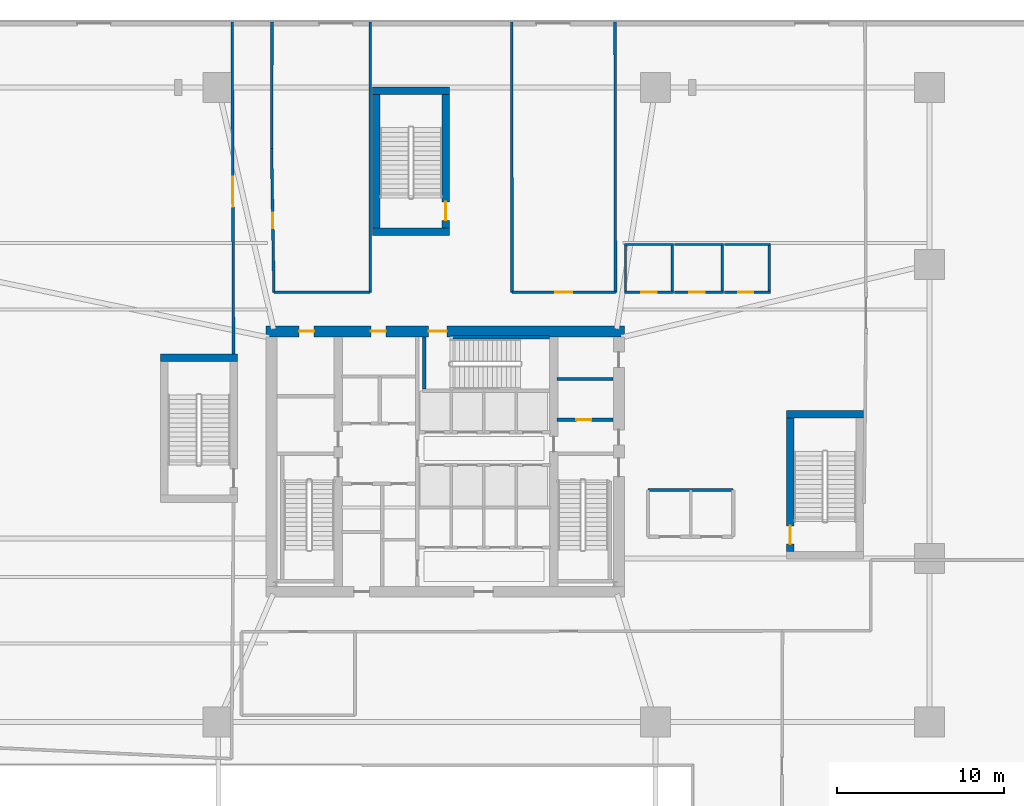
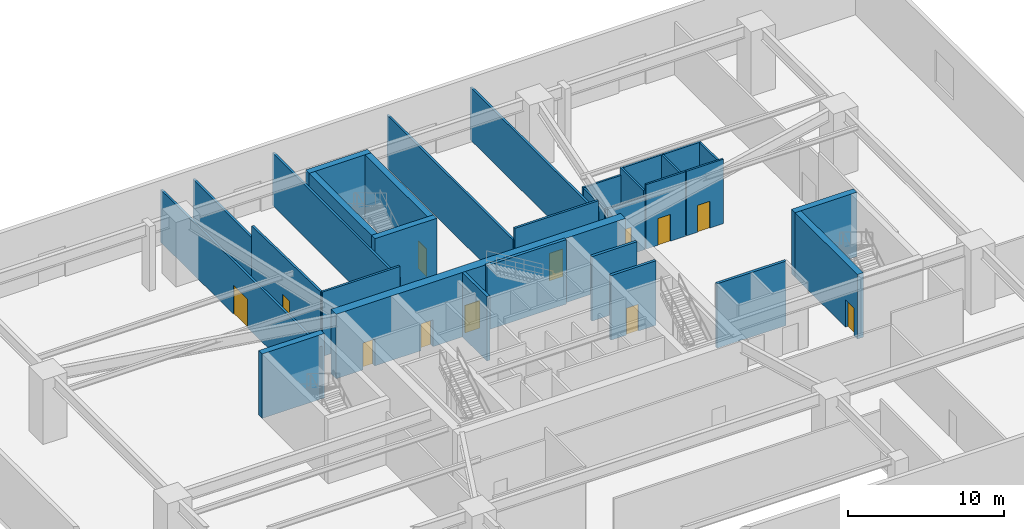
# One storey, part 7 of 13: 31 walls, 12 doors, 12 openings.
"""IFC4 building model written with IfcOpenShell, lengths in metres."""

from ifc_helpers import new_model, si_unit, direction, frame, frame_2d, origin, place, context, subcontext, project, spatial, rectangle, extrude, material, layer, layer_set, type_object, element, fill, save


model = new_model("IFC4")

# Units and contexts
model_context = context("Model", 3, precision=1e-05, world=origin(), true_north=direction((0.0, 1.0)))
body_context = subcontext(model_context, "Body", "Model", "MODEL_VIEW")
ifc_project = project(units=[si_unit("LENGTHUNIT", "METRE"), si_unit("AREAUNIT", "SQUARE_METRE"), si_unit("VOLUMEUNIT", "CUBIC_METRE"), si_unit("PLANEANGLEUNIT", "RADIAN"), si_unit("MASSUNIT", "GRAM", prefix="KILO")], contexts=[model_context])

# Site, building, storey
site_placement = place(None, origin())
site = spatial("IfcSite", under=ifc_project, at=site_placement, CompositionType="ELEMENT")
building_placement = place(site_placement, origin())
building = spatial("IfcBuilding", under=site, at=building_placement, Name="Qarnah Convention Tower", CompositionType="ELEMENT")
storey_placement = place(building_placement, origin())
storey = spatial("IfcBuildingStorey", under=building, at=storey_placement, Name="L00", CompositionType="ELEMENT", Elevation=0.0)

# Wall, openings, doors
ifc_material_1 = material(Name="Concrete C60/75", Category="concrete")
ifc_layer_1 = layer(ifc_material_1, 0.64990234375)
ifc_layer_set_1 = layer_set([ifc_layer_1], Name="Concrete C60/75")
wall_type_1 = type_object("IfcWallType", Name="WL-CORE-650", PredefinedType="SHEAR", material=ifc_layer_set_1)
wall_1_placement = place(storey_placement, frame((26.47509765625, 34.199951171875, 0.0), z_axis=(0.0, 0.0, 1.0), x_axis=(1.0, 0.0, 0.0)))
wall_1 = element("IfcWall", 1, at=wall_1_placement, inside=storey, type_object=wall_type_1, Name="L00 core north shear wall", PredefinedType="SHEAR", context=body_context, shape_type="SweptSolid", body=[
    extrude(rectangle(XDim=21.449951171875, YDim=0.64990234375, at=frame_2d((10.72509765625, 0.0))), origin(), (0.0, 0.0, 1.0), 5.050048828125),
])
opening_1_placement = place(wall_1_placement, frame((9.72509765625, 0.0, 0.0)))
opening_1 = element("IfcOpeningElement", 2, at=opening_1_placement, cuts=wall_1, Name="Opening D-0003", PredefinedType="OPENING", context=body_context, shape_type="SweptSolid", body=[
    extrude(rectangle(XDim=1.10009765625, YDim=2.14990234375, at=frame_2d((0.550048828125, 1.074951171875))), frame((0.0, 0.3349609375, 0.0), z_axis=(0.0, -1.0, 0.0), x_axis=(1.0, 0.0, 0.0)), (0.0, 0.0, 1.0), 0.669921875),
])
opening_2_placement = place(wall_1_placement, frame((1.97509765625, 0.0, 0.0)))
opening_2 = element("IfcOpeningElement", 3, at=opening_2_placement, cuts=wall_1, Name="Opening D-0009", PredefinedType="OPENING", context=body_context, shape_type="SweptSolid", body=[
    extrude(rectangle(XDim=0.89990234375, YDim=2.10009765625, at=frame_2d((0.449951171875, 1.050048828125))), frame((0.0, 0.3349609375, 0.0), z_axis=(0.0, -1.0, 0.0), x_axis=(1.0, 0.0, 0.0)), (0.0, 0.0, 1.0), 0.669921875),
])
opening_3_placement = place(wall_1_placement, frame((6.27490234375, 0.0, 0.0)))
opening_3 = element("IfcOpeningElement", 4, at=opening_3_placement, cuts=wall_1, Name="Opening D-0010", PredefinedType="OPENING", context=body_context, shape_type="SweptSolid", body=[
    extrude(rectangle(XDim=0.89990234375, YDim=2.10009765625, at=frame_2d((0.449951171875, 1.050048828125))), frame((0.0, 0.3349609375, 0.0), z_axis=(0.0, -1.0, 0.0), x_axis=(1.0, 0.0, 0.0)), (0.0, 0.0, 1.0), 0.669921875),
])
ifc_material_2 = material(Name="Structural steel S355JR", Category="steel")
door_type_1 = type_object("IfcDoorType", Name="DT-RISER-900", OperationType="NOTDEFINED", PredefinedType="DOOR", material=ifc_material_2)
door_1_placement = place(opening_2_placement, origin())
door_1 = element("IfcDoor", 5, at=door_1_placement, inside=storey, type_object=door_type_1, Name="Door D-0009", OperationType="SINGLE_SWING_RIGHT", OverallHeight=2.10009765625, OverallWidth=0.89990234375, PredefinedType="DOOR", context=body_context, shape_type="SweptSolid", body=[
    extrude(rectangle(XDim=0.89990234375, YDim=2.10009765625, at=frame_2d((0.449951171875, 1.050048828125))), frame((0.0, 0.02490234375, 0.0), z_axis=(0.0, -1.0, 0.0), x_axis=(1.0, 0.0, 0.0)), (0.0, 0.0, 1.0), 0.050048828125),
])
fill(opening_2, door_1)
door_2_placement = place(opening_3_placement, origin())
door_2 = element("IfcDoor", 6, at=door_2_placement, inside=storey, type_object=door_type_1, Name="Door D-0010", OperationType="SINGLE_SWING_LEFT", OverallHeight=2.10009765625, OverallWidth=0.89990234375, PredefinedType="DOOR", context=body_context, shape_type="SweptSolid", body=[
    extrude(rectangle(XDim=0.89990234375, YDim=2.10009765625, at=frame_2d((0.449951171875, 1.050048828125))), frame((0.0, 0.02490234375, 0.0), z_axis=(0.0, -1.0, 0.0), x_axis=(1.0, 0.0, 0.0)), (0.0, 0.0, 1.0), 0.050048828125),
])
fill(opening_3, door_2)
door_type_2 = type_object("IfcDoorType", Name="DT-STAIR-1100", OperationType="NOTDEFINED", PredefinedType="DOOR", material=ifc_material_2)
door_3_placement = place(opening_1_placement, origin())
door_3 = element("IfcDoor", 7, at=door_3_placement, inside=storey, type_object=door_type_2, Name="Door D-0003", OperationType="SINGLE_SWING_RIGHT", OverallHeight=2.14990234375, OverallWidth=1.10009765625, PredefinedType="DOOR", context=body_context, shape_type="SweptSolid", body=[
    extrude(rectangle(XDim=1.10009765625, YDim=2.14990234375, at=frame_2d((0.550048828125, 1.074951171875))), frame((0.0, 0.02490234375, 0.0), z_axis=(0.0, -1.0, 0.0), x_axis=(1.0, 0.0, 0.0)), (0.0, 0.0, 1.0), 0.050048828125),
])
fill(opening_1, door_3)

# Wall, opening, door
ifc_material_3 = material(Name="Concrete C45/55", Category="concrete")
ifc_layer_2 = layer(ifc_material_3, 0.199951171875)
ifc_layer_set_2 = layer_set([ifc_layer_2], Name="Concrete C45/55")
wall_type_2 = type_object("IfcWallType", Name="WL-CORE-PART-200", PredefinedType="SOLIDWALL", material=ifc_layer_set_2)
wall_2_placement = place(storey_placement, frame((43.89990234375, 28.89990234375, 0.0), z_axis=(0.0, 0.0, 1.0), x_axis=(1.0, 0.0, 0.0)))
wall_2 = element("IfcWall", 8, at=wall_2_placement, inside=storey, type_object=wall_type_2, Name="L00 interior wall IW-L00-EVSTN", PredefinedType="SOLIDWALL", context=body_context, shape_type="SweptSolid", body=[
    extrude(rectangle(XDim=3.35009765625, YDim=0.199951171875, at=frame_2d((1.675048828125, 0.0))), origin(), (0.0, 0.0, 1.0), 5.050048828125),
])
opening_4_placement = place(wall_2_placement, frame((1.14990234375, 0.0, 0.0)))
opening_4 = element("IfcOpeningElement", 9, at=opening_4_placement, cuts=wall_2, Name="Opening D-0011", PredefinedType="OPENING", context=body_context, shape_type="SweptSolid", body=[
    extrude(rectangle(XDim=0.89990234375, YDim=2.10009765625, at=frame_2d((0.449951171875, 1.050048828125))), frame((0.0, 0.10986328125, 0.0), z_axis=(0.0, -1.0, 0.0), x_axis=(1.0, 0.0, 0.0)), (0.0, 0.0, 1.0), 0.219970703125),
])
door_4_placement = place(opening_4_placement, origin())
door_4 = element("IfcDoor", 10, at=door_4_placement, inside=storey, type_object=door_type_1, Name="Door D-0011", OperationType="SINGLE_SWING_RIGHT", OverallHeight=2.10009765625, OverallWidth=0.89990234375, PredefinedType="DOOR", context=body_context, shape_type="SweptSolid", body=[
    extrude(rectangle(XDim=0.89990234375, YDim=2.10009765625, at=frame_2d((0.449951171875, 1.050048828125))), frame((0.0, 0.02490234375, 0.0), z_axis=(0.0, -1.0, 0.0), x_axis=(1.0, 0.0, 0.0)), (0.0, 0.0, 1.0), 0.050048828125),
])
fill(opening_4, door_4)

# Walls
wall_3_placement = place(storey_placement, frame((43.89990234375, 31.35009765625, 0.0), z_axis=(0.0, 0.0, 1.0), x_axis=(1.0, 0.0, 0.0)))
element("IfcWall", 11, at=wall_3_placement, inside=storey, type_object=wall_type_2, Name="L00 interior wall IW-L00-WTRN", PredefinedType="SOLIDWALL", context=body_context, shape_type="SweptSolid", body=[
    extrude(rectangle(XDim=3.35009765625, YDim=0.199951171875, at=frame_2d((1.675048828125, 0.0))), origin(), (0.0, 0.0, 1.0), 5.050048828125),
])
wall_4_placement = place(storey_placement, frame((49.35009765625, 24.699951171875, 0.0), z_axis=(0.0, 0.0, 1.0), x_axis=(1.0, 0.0, 0.0)))
element("IfcWall", 12, at=wall_4_placement, inside=storey, type_object=wall_type_2, Name="L00 interior wall IW-L00-PSN", PredefinedType="SOLIDWALL", context=body_context, shape_type="SweptSolid", body=[
    extrude(rectangle(XDim=5.099853515625, YDim=0.199951171875, at=frame_2d((2.5498046875, 0.0))), origin(), (0.0, 0.0, 1.0), 5.050048828125),
])
ifc_layer_3 = layer(ifc_material_1, 0.219970703125)
ifc_layer_set_3 = layer_set([ifc_layer_3], Name="Concrete C60/75")
wall_type_3 = type_object("IfcWallType", Name="WL-CORE-STAIR-220", PredefinedType="SHEAR", material=ifc_layer_set_3)
wall_5_placement = place(storey_placement, frame((35.93994140625, 30.75, 0.0), z_axis=(0.0, 0.0, 1.0), x_axis=(0.0, 1.0, 0.0)))
element("IfcWall", 13, at=wall_5_placement, inside=storey, type_object=wall_type_3, Name="L00 stair shaft shear wall SW-L00-ST3W", PredefinedType="SHEAR", context=body_context, shape_type="SweptSolid", body=[
    extrude(rectangle(XDim=3.125, YDim=0.219970703125, at=frame_2d((1.5625, 0.0))), origin(), (0.0, 0.0, 1.0), 5.050048828125),
])
wall_6_placement = place(storey_placement, frame((37.550048828125, 33.840087890625, 0.0), z_axis=(0.0, 0.0, 1.0), x_axis=(1.0, 0.0, 0.0)))
element("IfcWall", 14, at=wall_6_placement, inside=storey, type_object=wall_type_3, Name="L00 stair shaft shear wall SW-L00-ST3N", PredefinedType="SHEAR", context=body_context, shape_type="SweptSolid", body=[
    extrude(rectangle(XDim=5.89990234375, YDim=0.219970703125, at=frame_2d((2.949951171875, 0.0))), origin(), (0.0, 0.0, 1.0), 5.050048828125),
])

# Wall, opening, door
ifc_material_4 = material(Name="Gypsum partition board")
ifc_layer_4 = layer(ifc_material_4, 0.159912109375)
ifc_layer_set_4 = layer_set([ifc_layer_4], Name="Gypsum partition board")
wall_type_4 = type_object("IfcWallType", Name="WL-CORR-160", PredefinedType="PARTITIONING", material=ifc_layer_set_4)
wall_7_placement = place(storey_placement, frame((24.52490234375, 32.39990234375, 0.0), z_axis=(0.0, 0.0, 1.0), x_axis=(-0.004419634006, 0.99999023337, 0.0)))
wall_7 = element("IfcWall", 15, at=wall_7_placement, inside=storey, type_object=wall_type_4, Name="L00 interior wall IW-L00-R-15", PredefinedType="PARTITIONING", context=body_context, shape_type="SweptSolid", body=[
    extrude(rectangle(XDim=20.328369140625, YDim=0.159912109375, at=frame_2d((10.1640625, 0.0))), origin(), (0.0, 0.0, 1.0), 4.123046875),
])
opening_5_placement = place(wall_7_placement, frame((9.263916015625, 0.0, 0.0)))
opening_5 = element("IfcOpeningElement", 16, at=opening_5_placement, cuts=wall_7, Name="Opening D-0023", PredefinedType="OPENING", context=body_context, shape_type="SweptSolid", body=[
    extrude(rectangle(XDim=1.800048828125, YDim=2.25, at=frame_2d((0.89990234375, 1.125))), frame((0.0, 0.08984375, 0.0), z_axis=(0.0, -1.0, 0.0), x_axis=(1.0, 0.0, 0.0)), (0.0, 0.0, 1.0), 0.179931640625),
])
ifc_material_5 = material(Name="Black anodised aluminium", Category="aluminium")
door_type_3 = type_object("IfcDoorType", Name="DT-HALL-DBL-1800", OperationType="DOUBLE_DOOR_SINGLE_SWING", PredefinedType="DOOR", material=ifc_material_5)
door_5_placement = place(opening_5_placement, origin())
door_5 = element("IfcDoor", 17, at=door_5_placement, inside=storey, type_object=door_type_3, Name="Door D-0023", OperationType="DOUBLE_DOOR_SINGLE_SWING", OverallHeight=2.25, OverallWidth=1.800048828125, PredefinedType="DOOR", context=body_context, shape_type="SweptSolid", body=[
    extrude(rectangle(XDim=1.800048828125, YDim=2.25, at=frame_2d((0.89990234375, 1.125))), frame((0.0, 0.02490234375, 0.0), z_axis=(0.0, -1.0, 0.0), x_axis=(1.0, 0.0, 0.0)), (0.0, 0.0, 1.0), 0.050048828125),
])
fill(opening_5, door_5)

# Walls
wall_8_placement = place(storey_placement, frame((47.39990234375, 36.5400390625, 0.0), z_axis=(0.0, 0.0, 1.0), x_axis=(-0.0017799471, 0.999998415893, 0.0)))
element("IfcWall", 18, at=wall_8_placement, inside=storey, type_object=wall_type_4, Name="L00 interior wall IW-L00-R-28", PredefinedType="PARTITIONING", context=body_context, shape_type="SweptSolid", body=[
    extrude(rectangle(XDim=16.18505859375, YDim=0.159912109375, at=frame_2d((8.092529296875, 0.0))), origin(), (0.0, 0.0, 1.0), 4.123046875),
])
wall_9_placement = place(storey_placement, frame((41.18798828125, 52.720947265625, 0.0), z_axis=(0.0, 0.0, 1.0), x_axis=(0.000739321131, -0.999999726702, 0.0)))
element("IfcWall", 19, at=wall_9_placement, inside=storey, type_object=wall_type_4, Name="L00 interior wall IW-L00-R-29", PredefinedType="PARTITIONING", context=body_context, shape_type="SweptSolid", body=[
    extrude(rectangle(XDim=16.180908203125, YDim=0.159912109375, at=frame_2d((8.09033203125, 0.0))), origin(), (0.0, 0.0, 1.0), 4.123046875),
])

# Wall, opening, door
wall_10_placement = place(storey_placement, frame((41.199951171875, 36.5400390625, 0.0), z_axis=(0.0, 0.0, 1.0), x_axis=(1.0, 0.0, 0.0)))
wall_10 = element("IfcWall", 20, at=wall_10_placement, inside=storey, type_object=wall_type_4, Name="L00 interior wall IW-L00-R-30", PredefinedType="PARTITIONING", context=body_context, shape_type="SweptSolid", body=[
    extrude(rectangle(XDim=6.199951171875, YDim=0.159912109375, at=frame_2d((3.10009765625, 0.0))), origin(), (0.0, 0.0, 1.0), 5.050048828125),
])
opening_6_placement = place(wall_10_placement, frame((2.60009765625, 0.0, 0.0)))
opening_6 = element("IfcOpeningElement", 21, at=opening_6_placement, cuts=wall_10, Name="Opening D-0027", PredefinedType="OPENING", context=body_context, shape_type="SweptSolid", body=[
    extrude(rectangle(XDim=1.0, YDim=2.14990234375, at=frame_2d((0.5, 1.074951171875))), frame((0.0, 0.08984375, 0.0), z_axis=(0.0, -1.0, 0.0), x_axis=(1.0, 0.0, 0.0)), (0.0, 0.0, 1.0), 0.179931640625),
])
ifc_material_6 = material(Name="Oak timber veneer", Category="wood")
door_type_4 = type_object("IfcDoorType", Name="DT-OFFICE-1000", OperationType="NOTDEFINED", PredefinedType="DOOR", material=ifc_material_6)
door_6_placement = place(opening_6_placement, origin())
door_6 = element("IfcDoor", 22, at=door_6_placement, inside=storey, type_object=door_type_4, Name="Door D-0027", OperationType="SINGLE_SWING_RIGHT", OverallHeight=2.14990234375, OverallWidth=1.0, PredefinedType="DOOR", context=body_context, shape_type="SweptSolid", body=[
    extrude(rectangle(XDim=1.0, YDim=2.14990234375, at=frame_2d((0.5, 1.074951171875))), frame((0.0, 0.02490234375, 0.0), z_axis=(0.0, -1.0, 0.0), x_axis=(1.0, 0.0, 0.0)), (0.0, 0.0, 1.0), 0.050048828125),
])
fill(opening_6, door_6)

# Walls
wall_11_placement = place(storey_placement, frame((32.699951171875, 36.5400390625, 0.0), z_axis=(0.0, 0.0, 1.0), x_axis=(0.000799673839, 0.999999680261, 0.0)))
element("IfcWall", 23, at=wall_11_placement, inside=storey, type_object=wall_type_4, Name="L00 interior wall IW-L00-R-31", PredefinedType="PARTITIONING", context=body_context, shape_type="SweptSolid", body=[
    extrude(rectangle(XDim=16.180908203125, YDim=0.159912109375, at=frame_2d((8.09033203125, 0.0))), origin(), (0.0, 0.0, 1.0), 4.123046875),
])
wall_12_placement = place(storey_placement, frame((26.8291015625, 52.72607421875, 0.0), z_axis=(0.0, 0.0, 1.0), x_axis=(-0.003829663288, -0.999992666813, 0.0)))
element("IfcWall", 24, at=wall_12_placement, inside=storey, type_object=wall_type_4, Name="L00 interior wall IW-L00-R-32", PredefinedType="PARTITIONING", context=body_context, shape_type="SweptSolid", body=[
    extrude(rectangle(XDim=7.586181640625, YDim=0.159912109375, at=frame_2d((3.79296875, 0.0))), origin(), (0.0, 0.0, 1.0), 4.123046875),
])

# Wall, opening, door
wall_13_placement = place(storey_placement, frame((26.800048828125, 45.139892578125, 0.0), z_axis=(0.0, 0.0, 1.0), x_axis=(0.016264704162, -0.99986772095, 0.0)))
wall_13 = element("IfcWall", 25, at=wall_13_placement, inside=storey, type_object=wall_type_4, Name="L00 interior wall IW-L00-R-33", PredefinedType="PARTITIONING", context=body_context, shape_type="SweptSolid", body=[
    extrude(rectangle(XDim=8.60107421875, YDim=0.159912109375, at=frame_2d((4.300537109375, 0.0))), origin(), (0.0, 0.0, 1.0), 5.050048828125),
])
opening_7_placement = place(wall_13_placement, frame((3.85107421875, 0.0, 0.0)))
opening_7 = element("IfcOpeningElement", 26, at=opening_7_placement, cuts=wall_13, Name="Opening D-0028", PredefinedType="OPENING", context=body_context, shape_type="SweptSolid", body=[
    extrude(rectangle(XDim=0.89990234375, YDim=2.0, at=frame_2d((0.449951171875, 1.0))), frame((0.0, 0.08984375, 0.0), z_axis=(0.0, -1.0, 0.0), x_axis=(1.0, 0.0, 0.0)), (0.0, 0.0, 1.0), 0.179931640625),
])
door_type_5 = type_object("IfcDoorType", Name="DT-PLANT-900", OperationType="NOTDEFINED", PredefinedType="DOOR", material=ifc_material_2)
door_7_placement = place(opening_7_placement, origin())
door_7 = element("IfcDoor", 27, at=door_7_placement, inside=storey, type_object=door_type_5, Name="Door D-0028", OperationType="SINGLE_SWING_LEFT", OverallHeight=2.0, OverallWidth=0.89990234375, PredefinedType="DOOR", context=body_context, shape_type="SweptSolid", body=[
    extrude(rectangle(XDim=0.89990234375, YDim=2.0, at=frame_2d((0.449951171875, 1.0))), frame((0.0, 0.02490234375, 0.0), z_axis=(0.0, -1.0, 0.0), x_axis=(1.0, 0.0, 0.0)), (0.0, 0.0, 1.0), 0.050048828125),
])
fill(opening_7, door_7)

# Walls
wall_14_placement = place(storey_placement, frame((26.93994140625, 36.5400390625, 0.0), z_axis=(0.0, 0.0, 1.0), x_axis=(1.0, 0.0, 0.0)))
element("IfcWall", 28, at=wall_14_placement, inside=storey, type_object=wall_type_4, Name="L00 interior wall IW-L00-R-34", PredefinedType="PARTITIONING", context=body_context, shape_type="SweptSolid", body=[
    extrude(rectangle(XDim=5.760009765625, YDim=0.159912109375, at=frame_2d((2.8798828125, 0.0))), origin(), (0.0, 0.0, 1.0), 5.050048828125),
])
ifc_layer_5 = layer(ifc_material_1, 0.449951171875)
ifc_layer_set_5 = layer_set([ifc_layer_5], Name="Concrete C60/75")
wall_type_5 = type_object("IfcWallType", Name="WL-POD-CORE-450", PredefinedType="SHEAR", material=ifc_layer_set_5)
wall_15_placement = place(storey_placement, frame((57.64990234375, 29.22509765625, 0.0), z_axis=(0.0, 0.0, 1.0), x_axis=(1.0, 0.0, 0.0)))
element("IfcWall", 29, at=wall_15_placement, inside=storey, type_object=wall_type_5, Name="L00 podium stair ST-4 north wall", PredefinedType="SHEAR", context=body_context, shape_type="SweptSolid", body=[
    extrude(rectangle(XDim=4.60009765625, YDim=0.449951171875, at=frame_2d((2.300048828125, 0.0))), origin(), (0.0, 0.0, 1.0), 5.050048828125),
])

# Wall, opening, door
wall_16_placement = place(storey_placement, frame((57.875, 21.0, 0.0), z_axis=(0.0, 0.0, 1.0), x_axis=(0.0, 1.0, 0.0)))
wall_16 = element("IfcWall", 30, at=wall_16_placement, inside=storey, type_object=wall_type_5, Name="L00 podium stair ST-4 west wall", PredefinedType="SHEAR", context=body_context, shape_type="SweptSolid", body=[
    extrude(rectangle(XDim=8.0, YDim=0.449951171875, at=frame_2d((4.0, 0.0))), origin(), (0.0, 0.0, 1.0), 5.050048828125),
])
opening_8_placement = place(wall_16_placement, frame((0.449951171875, 0.0, 0.0)))
opening_8 = element("IfcOpeningElement", 31, at=opening_8_placement, cuts=wall_16, Name="Opening D-0016", PredefinedType="OPENING", context=body_context, shape_type="SweptSolid", body=[
    extrude(rectangle(XDim=1.10009765625, YDim=2.14990234375, at=frame_2d((0.550048828125, 1.074951171875))), frame((0.0, 0.23486328125, 0.0), z_axis=(0.0, -1.0, 0.0), x_axis=(1.0, 0.0, 0.0)), (0.0, 0.0, 1.0), 0.469970703125),
])
door_8_placement = place(opening_8_placement, origin())
door_8 = element("IfcDoor", 32, at=door_8_placement, inside=storey, type_object=door_type_2, Name="Door D-0016", OperationType="SINGLE_SWING_LEFT", OverallHeight=2.14990234375, OverallWidth=1.10009765625, PredefinedType="DOOR", context=body_context, shape_type="SweptSolid", body=[
    extrude(rectangle(XDim=1.10009765625, YDim=2.14990234375, at=frame_2d((0.550048828125, 1.074951171875))), frame((0.0, 0.02490234375, 0.0), z_axis=(0.0, -1.0, 0.0), x_axis=(1.0, 0.0, 0.0)), (0.0, 0.0, 1.0), 0.050048828125),
])
fill(opening_8, door_8)

# Walls
wall_17_placement = place(storey_placement, frame((20.14990234375, 32.625, 0.0), z_axis=(0.0, 0.0, 1.0), x_axis=(1.0, 0.0, 0.0)))
element("IfcWall", 33, at=wall_17_placement, inside=storey, type_object=wall_type_5, Name="L00 podium stair ST-5 north wall", PredefinedType="SHEAR", context=body_context, shape_type="SweptSolid", body=[
    extrude(rectangle(XDim=4.60009765625, YDim=0.449951171875, at=frame_2d((2.300048828125, 0.0))), origin(), (0.0, 0.0, 1.0), 5.050048828125),
])
for number, where, z_axis, x_axis, name in (
    (34, (32.85009765625, 40.175048828125, 0.0), (0.0, 0.0, 1.0), (1.0, 0.0, 0.0), "L00 podium stair ST-6 south wall"),
    (35, (32.85009765625, 48.625, 0.0), (0.0, 0.0, 1.0), (1.0, 0.0, 0.0), "L00 podium stair ST-6 north wall"),
):
    element("IfcWall", number, at=place(storey_placement, frame(where, z_axis=z_axis, x_axis=x_axis)), inside=storey, type_object=wall_type_5, Name=name, PredefinedType="SHEAR", context=body_context, shape_type="SweptSolid", body=[
        extrude(rectangle(XDim=4.599853515625, YDim=0.449951171875, at=frame_2d((2.2998046875, 0.0))), origin(), (0.0, 0.0, 1.0), 5.050048828125),
    ])
wall_18_placement = place(storey_placement, frame((33.074951171875, 40.39990234375, 0.0), z_axis=(0.0, 0.0, 1.0), x_axis=(0.0, 1.0, 0.0)))
element("IfcWall", 36, at=wall_18_placement, inside=storey, type_object=wall_type_5, Name="L00 podium stair ST-6 west wall", PredefinedType="SHEAR", context=body_context, shape_type="SweptSolid", body=[
    extrude(rectangle(XDim=8.0, YDim=0.449951171875, at=frame_2d((4.0, 0.0))), origin(), (0.0, 0.0, 1.0), 5.050048828125),
])

# Wall, opening, door
wall_19_placement = place(storey_placement, frame((37.22509765625, 40.39990234375, 0.0), z_axis=(0.0, 0.0, 1.0), x_axis=(0.0, 1.0, 0.0)))
wall_19 = element("IfcWall", 37, at=wall_19_placement, inside=storey, type_object=wall_type_5, Name="L00 podium stair ST-6 east wall", PredefinedType="SHEAR", context=body_context, shape_type="SweptSolid", body=[
    extrude(rectangle(XDim=8.0, YDim=0.449951171875, at=frame_2d((4.0, 0.0))), origin(), (0.0, 0.0, 1.0), 5.050048828125),
])
opening_9_placement = place(wall_19_placement, frame((0.449951171875, 0.0, 0.0)))
opening_9 = element("IfcOpeningElement", 38, at=opening_9_placement, cuts=wall_19, Name="Opening D-0018", PredefinedType="OPENING", context=body_context, shape_type="SweptSolid", body=[
    extrude(rectangle(XDim=1.10009765625, YDim=2.14990234375, at=frame_2d((0.550048828125, 1.074951171875))), frame((0.0, 0.23486328125, 0.0), z_axis=(0.0, -1.0, 0.0), x_axis=(1.0, 0.0, 0.0)), (0.0, 0.0, 1.0), 0.469970703125),
])
door_9_placement = place(opening_9_placement, origin())
door_9 = element("IfcDoor", 39, at=door_9_placement, inside=storey, type_object=door_type_2, Name="Door D-0018", OperationType="SINGLE_SWING_LEFT", OverallHeight=2.14990234375, OverallWidth=1.10009765625, PredefinedType="DOOR", context=body_context, shape_type="SweptSolid", body=[
    extrude(rectangle(XDim=1.10009765625, YDim=2.14990234375, at=frame_2d((0.550048828125, 1.074951171875))), frame((0.0, 0.02490234375, 0.0), z_axis=(0.0, -1.0, 0.0), x_axis=(1.0, 0.0, 0.0)), (0.0, 0.0, 1.0), 0.050048828125),
])
fill(opening_9, door_9)

ifc_layer_6 = layer(ifc_material_4, 0.139892578125)
ifc_layer_set_6 = layer_set([ifc_layer_6], Name="Gypsum partition board")
wall_type_6 = type_object("IfcWallType", Name="WL-WET-140", PredefinedType="PARTITIONING", material=ifc_layer_set_6)
wall_20_placement = place(storey_placement, frame((47.929931640625, 36.550048828125, 0.0), z_axis=(0.0, 0.0, 1.0), x_axis=(1.0, 0.0, 0.0)))
wall_20 = element("IfcWall", 40, at=wall_20_placement, inside=storey, type_object=wall_type_6, Name="L00 interior wall IW-L00-WCM-1", PredefinedType="PARTITIONING", context=body_context, shape_type="SweptSolid", body=[
    extrude(rectangle(XDim=2.940185546875, YDim=0.139892578125, at=frame_2d((1.47021484375, 0.0))), origin(), (0.0, 0.0, 1.0), 4.135009765625),
])
opening_10_placement = place(wall_20_placement, frame((1.010009765625, 0.0, 0.0)))
opening_10 = element("IfcOpeningElement", 41, at=opening_10_placement, cuts=wall_20, Name="Opening D-0019", PredefinedType="OPENING", context=body_context, shape_type="SweptSolid", body=[
    extrude(rectangle(XDim=0.919921875, YDim=2.10009765625, at=frame_2d((0.4599609375, 1.050048828125))), frame((0.0, 0.079833984375, 0.0), z_axis=(0.0, -1.0, 0.0), x_axis=(1.0, 0.0, 0.0)), (0.0, 0.0, 1.0), 0.159912109375),
])
door_type_6 = type_object("IfcDoorType", Name="DT-WC-920", OperationType="NOTDEFINED", PredefinedType="DOOR", material=ifc_material_6)
door_10_placement = place(opening_10_placement, origin())
door_10 = element("IfcDoor", 42, at=door_10_placement, inside=storey, type_object=door_type_6, Name="Door D-0019", OperationType="SINGLE_SWING_RIGHT", OverallHeight=2.10009765625, OverallWidth=0.919921875, PredefinedType="DOOR", context=body_context, shape_type="SweptSolid", body=[
    extrude(rectangle(XDim=0.919921875, YDim=2.10009765625, at=frame_2d((0.4599609375, 1.050048828125))), frame((0.0, 0.02490234375, 0.0), z_axis=(0.0, -1.0, 0.0), x_axis=(1.0, 0.0, 0.0)), (0.0, 0.0, 1.0), 0.050048828125),
])
fill(opening_10, door_10)

# Walls
wall_21_placement = place(storey_placement, frame((50.800048828125, 36.47998046875, 0.0), z_axis=(0.0, 0.0, 1.0), x_axis=(0.0, 1.0, 0.0)))
element("IfcWall", 43, at=wall_21_placement, inside=storey, type_object=wall_type_6, Name="L00 interior wall IW-L00-WCM-2", PredefinedType="PARTITIONING", context=body_context, shape_type="SweptSolid", body=[
    extrude(rectangle(XDim=2.989990234375, YDim=0.139892578125, at=frame_2d((1.4951171875, 0.0))), origin(), (0.0, 0.0, 1.0), 4.678955078125),
])
wall_22_placement = place(storey_placement, frame((50.8701171875, 39.39990234375, 0.0), z_axis=(0.0, 0.0, 1.0), x_axis=(-1.0, 0.0, 0.0)))
element("IfcWall", 44, at=wall_22_placement, inside=storey, type_object=wall_type_6, Name="L00 interior wall IW-L00-WCM-3", PredefinedType="PARTITIONING", context=body_context, shape_type="SweptSolid", body=[
    extrude(rectangle(XDim=2.940185546875, YDim=0.139892578125, at=frame_2d((1.47021484375, 0.0))), origin(), (0.0, 0.0, 1.0), 4.135009765625),
])
wall_23_placement = place(storey_placement, frame((48.0, 39.469970703125, 0.0), z_axis=(0.0, 0.0, 1.0), x_axis=(0.0, -1.0, 0.0)))
element("IfcWall", 45, at=wall_23_placement, inside=storey, type_object=wall_type_6, Name="L00 interior wall IW-L00-WCM-4", PredefinedType="PARTITIONING", context=body_context, shape_type="SweptSolid", body=[
    extrude(rectangle(XDim=2.989990234375, YDim=0.139892578125, at=frame_2d((1.4951171875, 0.0))), origin(), (0.0, 0.0, 1.0), 4.135009765625),
])

# Wall, opening, door
wall_24_placement = place(storey_placement, frame((50.929931640625, 36.550048828125, 0.0), z_axis=(0.0, 0.0, 1.0), x_axis=(1.0, 0.0, 0.0)))
wall_24 = element("IfcWall", 46, at=wall_24_placement, inside=storey, type_object=wall_type_6, Name="L00 interior wall IW-L00-WCF-1", PredefinedType="PARTITIONING", context=body_context, shape_type="SweptSolid", body=[
    extrude(rectangle(XDim=2.940185546875, YDim=0.139892578125, at=frame_2d((1.47021484375, 0.0))), origin(), (0.0, 0.0, 1.0), 5.050048828125),
])
opening_11_placement = place(wall_24_placement, frame((0.89990234375, 0.0, 0.0)))
opening_11 = element("IfcOpeningElement", 47, at=opening_11_placement, cuts=wall_24, Name="Opening D-0020", PredefinedType="OPENING", context=body_context, shape_type="SweptSolid", body=[
    extrude(rectangle(XDim=0.919921875, YDim=2.10009765625, at=frame_2d((0.4599609375, 1.050048828125))), frame((0.0, 0.079833984375, 0.0), z_axis=(0.0, -1.0, 0.0), x_axis=(1.0, 0.0, 0.0)), (0.0, 0.0, 1.0), 0.159912109375),
])
door_11_placement = place(opening_11_placement, origin())
door_11 = element("IfcDoor", 48, at=door_11_placement, inside=storey, type_object=door_type_6, Name="Door D-0020", OperationType="SINGLE_SWING_LEFT", OverallHeight=2.10009765625, OverallWidth=0.919921875, PredefinedType="DOOR", context=body_context, shape_type="SweptSolid", body=[
    extrude(rectangle(XDim=0.919921875, YDim=2.10009765625, at=frame_2d((0.4599609375, 1.050048828125))), frame((0.0, 0.02490234375, 0.0), z_axis=(0.0, -1.0, 0.0), x_axis=(1.0, 0.0, 0.0)), (0.0, 0.0, 1.0), 0.050048828125),
])
fill(opening_11, door_11)

# Walls
wall_25_placement = place(storey_placement, frame((53.800048828125, 36.47998046875, 0.0), z_axis=(0.0, 0.0, 1.0), x_axis=(0.0, 1.0, 0.0)))
element("IfcWall", 49, at=wall_25_placement, inside=storey, type_object=wall_type_6, Name="L00 interior wall IW-L00-WCF-2", PredefinedType="PARTITIONING", context=body_context, shape_type="SweptSolid", body=[
    extrude(rectangle(XDim=2.989990234375, YDim=0.139892578125, at=frame_2d((1.4951171875, 0.0))), origin(), (0.0, 0.0, 1.0), 4.678955078125),
])
wall_26_placement = place(storey_placement, frame((53.8701171875, 39.39990234375, 0.0), z_axis=(0.0, 0.0, 1.0), x_axis=(-1.0, 0.0, 0.0)))
element("IfcWall", 50, at=wall_26_placement, inside=storey, type_object=wall_type_6, Name="L00 interior wall IW-L00-WCF-3", PredefinedType="PARTITIONING", context=body_context, shape_type="SweptSolid", body=[
    extrude(rectangle(XDim=2.940185546875, YDim=0.139892578125, at=frame_2d((1.47021484375, 0.0))), origin(), (0.0, 0.0, 1.0), 4.678955078125),
])

# Wall, opening, door
wall_27_placement = place(storey_placement, frame((53.929931640625, 36.550048828125, 0.0), z_axis=(0.0, 0.0, 1.0), x_axis=(1.0, 0.0, 0.0)))
wall_27 = element("IfcWall", 51, at=wall_27_placement, inside=storey, type_object=wall_type_6, Name="L00 interior wall IW-L00-WCA-1", PredefinedType="PARTITIONING", context=body_context, shape_type="SweptSolid", body=[
    extrude(rectangle(XDim=2.739990234375, YDim=0.139892578125, at=frame_2d((1.3701171875, 0.0))), origin(), (0.0, 0.0, 1.0), 5.050048828125),
])
opening_12_placement = place(wall_27_placement, frame((0.81396484375, 0.0, 0.0)))
opening_12 = element("IfcOpeningElement", 52, at=opening_12_placement, cuts=wall_27, Name="Opening D-0021", PredefinedType="OPENING", context=body_context, shape_type="SweptSolid", body=[
    extrude(rectangle(XDim=0.919921875, YDim=2.10009765625, at=frame_2d((0.4599609375, 1.050048828125))), frame((0.0, 0.079833984375, 0.0), z_axis=(0.0, -1.0, 0.0), x_axis=(1.0, 0.0, 0.0)), (0.0, 0.0, 1.0), 0.159912109375),
])
door_12_placement = place(opening_12_placement, origin())
door_12 = element("IfcDoor", 53, at=door_12_placement, inside=storey, type_object=door_type_6, Name="Door D-0021", OperationType="SINGLE_SWING_RIGHT", OverallHeight=2.10009765625, OverallWidth=0.919921875, PredefinedType="DOOR", context=body_context, shape_type="SweptSolid", body=[
    extrude(rectangle(XDim=0.919921875, YDim=2.10009765625, at=frame_2d((0.4599609375, 1.050048828125))), frame((0.0, 0.02490234375, 0.0), z_axis=(0.0, -1.0, 0.0), x_axis=(1.0, 0.0, 0.0)), (0.0, 0.0, 1.0), 0.050048828125),
])
fill(opening_12, door_12)

# Walls
wall_28_placement = place(storey_placement, frame((56.60009765625, 36.47998046875, 0.0), z_axis=(0.0, 0.0, 1.0), x_axis=(0.0, 1.0, 0.0)))
element("IfcWall", 54, at=wall_28_placement, inside=storey, type_object=wall_type_6, Name="L00 interior wall IW-L00-WCA-2", PredefinedType="PARTITIONING", context=body_context, shape_type="SweptSolid", body=[
    extrude(rectangle(XDim=2.989990234375, YDim=0.139892578125, at=frame_2d((1.4951171875, 0.0))), origin(), (0.0, 0.0, 1.0), 4.678955078125),
])
wall_29_placement = place(storey_placement, frame((56.669921875, 39.39990234375, 0.0), z_axis=(0.0, 0.0, 1.0), x_axis=(-1.0, 0.0, 0.0)))
element("IfcWall", 55, at=wall_29_placement, inside=storey, type_object=wall_type_6, Name="L00 interior wall IW-L00-WCA-3", PredefinedType="PARTITIONING", context=body_context, shape_type="SweptSolid", body=[
    extrude(rectangle(XDim=2.739990234375, YDim=0.139892578125, at=frame_2d((1.3701171875, 0.0))), origin(), (0.0, 0.0, 1.0), 4.678955078125),
])

save(model, "model.ifc")
